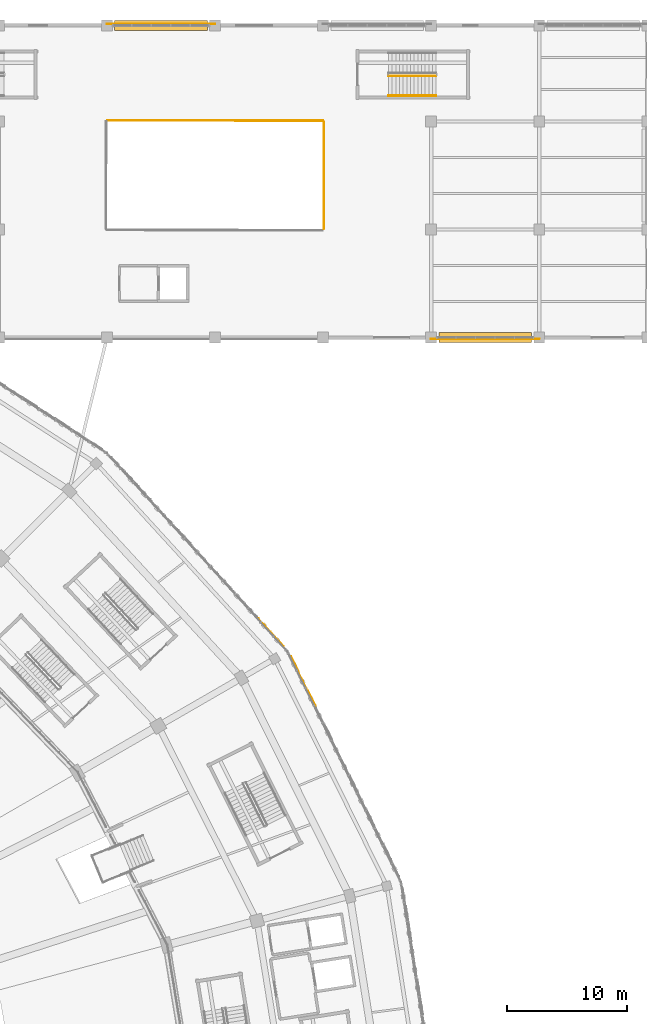
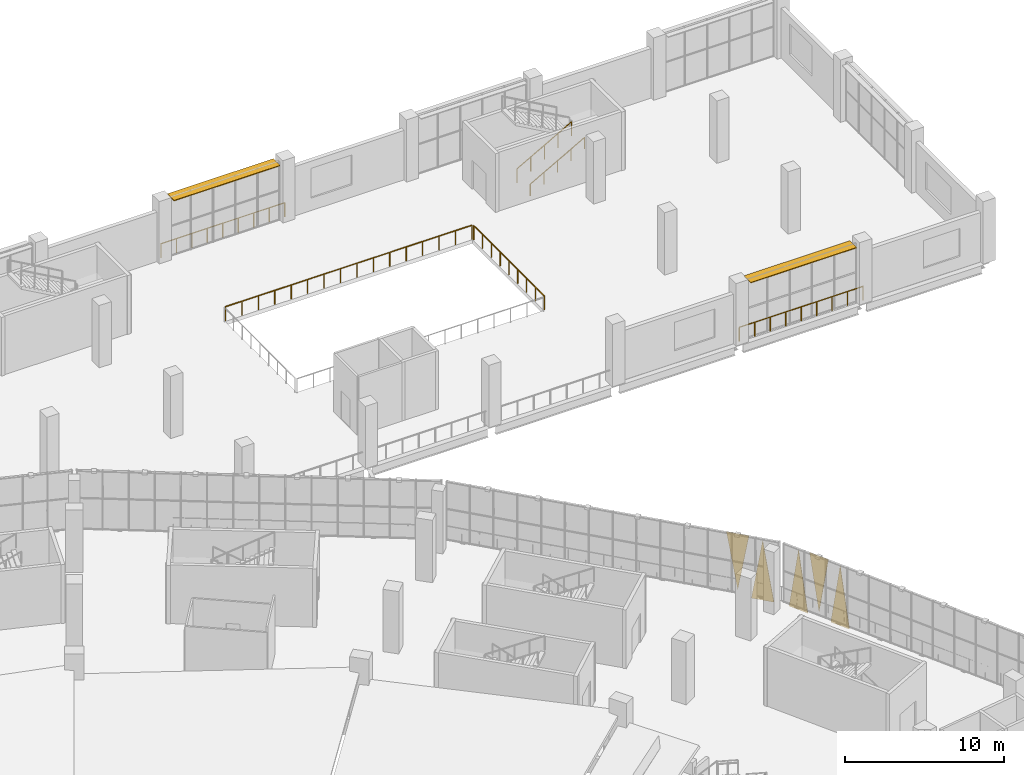
# One storey, part 181 of 183: 6 railings, 5 coverings, 2 shading devices.
"""IFC4 building model written with IfcOpenShell, lengths in metres."""

from ifc_helpers import new_model, si_unit, direction, frame, origin, origin_2d, place, context, subcontext, project, spatial, polyline, rectangle, circle, outline, extrude, material, layer, layer_set, type_object, element, save


model = new_model("IFC4")

# Units and contexts
model_context = context("Model", 3, precision=1e-05, world=origin(), true_north=direction((0.0, 1.0)))
body_context = subcontext(model_context, "Body", "Model", "MODEL_VIEW")
ifc_project = project(units=[si_unit("LENGTHUNIT", "METRE"), si_unit("AREAUNIT", "SQUARE_METRE"), si_unit("VOLUMEUNIT", "CUBIC_METRE"), si_unit("PLANEANGLEUNIT", "RADIAN"), si_unit("MASSUNIT", "GRAM", prefix="KILO")], contexts=[model_context])

# Site, building, storey
site_placement = place(None, origin())
site = spatial("IfcSite", under=ifc_project, at=site_placement, CompositionType="ELEMENT")
building_placement = place(site_placement, origin())
building = spatial("IfcBuilding", under=site, at=building_placement, Name="Zevraka Park Crest Stadium", CompositionType="ELEMENT")
storey_placement = place(building_placement, frame((0.0, 0.0, 5.39990234375)))
storey = spatial("IfcBuildingStorey", under=building, at=storey_placement, Name="L01", CompositionType="ELEMENT", Elevation=5.39990234375)

# Coverings
ifc_material_1 = material(Name="Architectural golden-bronze perforated aluminium", Category="aluminium")
ifc_layer_1 = layer(ifc_material_1, 0.034912109375)
ifc_layer_set_1 = layer_set([ifc_layer_1], Name="Architectural golden-bronze perforated aluminium")
covering_type = type_object("IfcCoveringType", Name="CLD01", PredefinedType="CLADDING", material=ifc_layer_set_1)
covering_1_placement = place(storey_placement, frame((196.35595703125, 127.31298828125, -0.260009765625), z_axis=(-0.89736335211, -0.441292433592, 4.8410033e-05), x_axis=(-0.441292434109, 0.897363353162, 0.0)))
element("IfcCovering", 1, at=covering_1_placement, inside=storey, type_object=covering_type, Name="Triangular Golden-Bronze Perforated Cladding L01-01-11", PredefinedType="CLADDING", context=body_context, shape_type="SweptSolid", body=[
    extrude(outline(polyline([(0.0, 0.0), (1.420720312745091, 0.0), (0.709706515851417, -4.600097661640237), (0.0, 0.0)])), origin(), (0.0, 0.0, -1.0), 0.034912109375),
])
covering_2_placement = place(storey_placement, frame((195.031005859375, 130.006103515625, 4.5), z_axis=(0.897396801117, 0.441224389291, 0.00014013863), x_axis=(0.441224393624, -0.897396809929, 0.0)))
element("IfcCovering", 2, at=covering_2_placement, inside=storey, type_object=covering_type, Name="Triangular Golden-Bronze Perforated Cladding L01-01-12", PredefinedType="CLADDING", context=body_context, shape_type="SweptSolid", body=[
    extrude(outline(polyline([(0.0, 0.0), (1.4209393996793769, 1.3552527156068805e-20), (0.710356504911064, 4.2797851982749995), (0.0, 0.0)])), origin(), (0.0, 0.0, -1.0), 0.034912109375),
])
covering_3_placement = place(storey_placement, frame((194.9599609375, 130.14990234375, -0.260009765625), z_axis=(-0.897262884804, -0.441496663763, 0.000106956486), x_axis=(-0.441496666288, 0.897262889936, 0.0)))
element("IfcCovering", 3, at=covering_3_placement, inside=storey, type_object=covering_type, Name="Triangular Golden-Bronze Perforated Cladding L01-01-13", PredefinedType="CLADDING", context=body_context, shape_type="SweptSolid", body=[
    extrude(outline(polyline([(0.0, 0.0), (1.4200631009776323, 6.776263578034403e-21), (0.7099255051060995, -4.600097682561845), (0.0, 0.0)])), origin(), (0.0, 0.0, -1.0), 0.034912109375),
])
covering_4_placement = place(storey_placement, frame((193.741943359375, 132.2919921875, -0.260009765625), z_axis=(0.739257935755, 0.673422381884, 0.0), x_axis=(-0.673422381884, 0.739257935755, 0.0)))
element("IfcCovering", 4, at=covering_4_placement, inside=storey, type_object=covering_type, Name="Triangular Golden-Bronze Perforated Cladding L01-02-1", PredefinedType="CLADDING", context=body_context, shape_type="SweptSolid", body=[
    extrude(outline(polyline([(0.0, 0.0), (1.4907527237079923, 0.0), (0.7453763618539961, 4.60009765625), (0.0, 0.0)])), origin(), (0.0, 0.0, -1.0), 0.034912109375),
])
covering_5_placement = place(storey_placement, frame((191.625, 134.614013671875, 4.5), z_axis=(0.738931869956, 0.673780145489, 8.4304834e-05), x_axis=(0.673780147884, -0.738931872582, 0.0)))
element("IfcCovering", 5, at=covering_5_placement, inside=storey, type_object=covering_type, Name="Triangular Golden-Bronze Perforated Cladding L01-02-2", PredefinedType="CLADDING", context=body_context, shape_type="SweptSolid", body=[
    extrude(outline(polyline([(0.0, 0.0), (1.4914105374817646, 0.0), (0.7460342629537162, 4.27978517145887), (0.0, 0.0)])), origin(), (0.0, 0.0, -1.0), 0.034912109375),
])

# Railings
ifc_material_2 = material(Name="Galvanised and bronze-finished steel balustrade", Category="steel")
railing_type_1 = type_object("IfcRailingType", Name="GR01", PredefinedType="GUARDRAIL", material=ifc_material_2)
railing_1_placement = place(storey_placement, frame((178.990966796875, 184.10498046875, 0.0)))
element("IfcRailing", 6, at=railing_1_placement, inside=storey, type_object=railing_type_1, Name="Deck Edge Protection Guardrail GR01 L01-12", PredefinedType="GUARDRAIL", context=body_context, shape_type="SweptSolid", body=[
    extrude(circle(Radius=0.02392578125, at=origin_2d()), frame((0.0, 0.0, 1.076171875), z_axis=(1.0, 0.0, 0.0), x_axis=(0.0, 1.0, 0.0)), (0.0, 0.0, 1.0), 9.01806640625),
    extrude(circle(Radius=0.02099609375, at=origin_2d()), origin(), (0.0, 0.0, 1.0), 1.052001953125),
    extrude(circle(Radius=0.02099609375, at=origin_2d()), frame((1.127197265625, 0.0, 0.0)), (0.0, 0.0, 1.0), 1.052001953125),
    extrude(circle(Radius=0.02099609375, at=origin_2d()), frame((2.25439453125, 0.0, 0.0)), (0.0, 0.0, 1.0), 1.052001953125),
    extrude(circle(Radius=0.02099609375, at=origin_2d()), frame((3.3818359375, 0.0, 0.0)), (0.0, 0.0, 1.0), 1.052001953125),
    extrude(circle(Radius=0.02099609375, at=origin_2d()), frame((4.509033203125, 0.0, 0.0)), (0.0, 0.0, 1.0), 1.052001953125),
    extrude(circle(Radius=0.02099609375, at=origin_2d()), frame((5.63623046875, 0.0, 0.0)), (0.0, 0.0, 1.0), 1.052001953125),
    extrude(circle(Radius=0.02099609375, at=origin_2d()), frame((6.763671875, 0.0, 0.0)), (0.0, 0.0, 1.0), 1.052001953125),
    extrude(circle(Radius=0.02099609375, at=origin_2d()), frame((7.890869140625, 0.0, 0.0)), (0.0, 0.0, 1.0), 1.052001953125),
    extrude(circle(Radius=0.02099609375, at=origin_2d()), frame((9.01806640625, 0.0, 0.0)), (0.0, 0.0, 1.0), 1.052001953125),
])
railing_2_placement = place(storey_placement, frame((215.009033203125, 157.89501953125, 0.0)))
element("IfcRailing", 7, at=railing_2_placement, inside=storey, type_object=railing_type_1, Name="Deck Edge Protection Guardrail GR01 L01-16", PredefinedType="GUARDRAIL", context=body_context, shape_type="SweptSolid", body=[
    extrude(circle(Radius=0.02392578125, at=origin_2d()), frame((0.0, 0.0, 1.076171875), z_axis=(-1.0, 0.0, 0.0), x_axis=(0.0, -1.0, 0.0)), (0.0, 0.0, 1.0), 9.01806640625),
    extrude(circle(Radius=0.02099609375, at=origin_2d()), origin(), (0.0, 0.0, 1.0), 1.052001953125),
    extrude(circle(Radius=0.02099609375, at=origin_2d()), frame((-1.127197265625, 0.0, 0.0)), (0.0, 0.0, 1.0), 1.052001953125),
    extrude(circle(Radius=0.02099609375, at=origin_2d()), frame((-2.25439453125, 0.0, 0.0)), (0.0, 0.0, 1.0), 1.052001953125),
    extrude(circle(Radius=0.02099609375, at=origin_2d()), frame((-3.3818359375, 0.0, 0.0)), (0.0, 0.0, 1.0), 1.052001953125),
    extrude(circle(Radius=0.02099609375, at=origin_2d()), frame((-4.509033203125, 0.0, 0.0)), (0.0, 0.0, 1.0), 1.052001953125),
    extrude(circle(Radius=0.02099609375, at=origin_2d()), frame((-5.63623046875, 0.0, 0.0)), (0.0, 0.0, 1.0), 1.052001953125),
    extrude(circle(Radius=0.02099609375, at=origin_2d()), frame((-6.763671875, 0.0, 0.0)), (0.0, 0.0, 1.0), 1.052001953125),
    extrude(circle(Radius=0.02099609375, at=origin_2d()), frame((-7.890869140625, 0.0, 0.0)), (0.0, 0.0, 1.0), 1.052001953125),
    extrude(circle(Radius=0.02099609375, at=origin_2d()), frame((-9.01806640625, 0.0, 0.0)), (0.0, 0.0, 1.0), 1.052001953125),
])
railing_3_placement = place(storey_placement, frame((197.070068359375, 167.06005859375, 0.0)))
element("IfcRailing", 8, at=railing_3_placement, inside=storey, type_object=railing_type_1, Name="Deck Edge Protection Guardrail GR01 L01-55", PredefinedType="GUARDRAIL", context=body_context, shape_type="SweptSolid", body=[
    extrude(circle(Radius=0.02392578125, at=origin_2d()), frame((0.0, 0.0, 1.076171875), z_axis=(0.0, 1.0, 0.0), x_axis=(-1.0, 0.0, 0.0)), (0.0, 0.0, 1.0), 8.8798828125),
    extrude(circle(Radius=0.02099609375, at=origin_2d()), origin(), (0.0, 0.0, 1.0), 1.052001953125),
    extrude(circle(Radius=0.02099609375, at=origin_2d()), frame((0.0, 1.10986328125, 0.0)), (0.0, 0.0, 1.0), 1.052001953125),
    extrude(circle(Radius=0.02099609375, at=origin_2d()), frame((0.0, 2.219970703125, 0.0)), (0.0, 0.0, 1.0), 1.052001953125),
    extrude(circle(Radius=0.02099609375, at=origin_2d()), frame((0.0, 3.330078125, 0.0)), (0.0, 0.0, 1.0), 1.052001953125),
    extrude(circle(Radius=0.02099609375, at=origin_2d()), frame((0.0, 4.43994140625, 0.0)), (0.0, 0.0, 1.0), 1.052001953125),
    extrude(circle(Radius=0.02099609375, at=origin_2d()), frame((0.0, 5.5498046875, 0.0)), (0.0, 0.0, 1.0), 1.052001953125),
    extrude(circle(Radius=0.02099609375, at=origin_2d()), frame((0.0, 6.659912109375, 0.0)), (0.0, 0.0, 1.0), 1.052001953125),
    extrude(circle(Radius=0.02099609375, at=origin_2d()), frame((0.0, 7.77001953125, 0.0)), (0.0, 0.0, 1.0), 1.052001953125),
    extrude(circle(Radius=0.02099609375, at=origin_2d()), frame((0.0, 8.8798828125, 0.0)), (0.0, 0.0, 1.0), 1.052001953125),
])
railing_4_placement = place(storey_placement, frame((196.998046875, 176.055908203125, 0.0)))
element("IfcRailing", 9, at=railing_4_placement, inside=storey, type_object=railing_type_1, Name="Deck Edge Protection Guardrail GR01 L01-56", PredefinedType="GUARDRAIL", context=body_context, shape_type="SweptSolid", body=[
    extrude(circle(Radius=0.02392578125, at=origin_2d()), frame((0.0, 0.0, 1.076171875), z_axis=(-0.999999688428, 0.000789394642, 0.0), x_axis=(-0.000789394642, -0.999999688428, 0.0)), (0.0, 0.0, 1.0), 17.93798828125),
    extrude(circle(Radius=0.02099609375, at=origin_2d()), origin(), (0.0, 0.0, 1.0), 1.052001953125),
    extrude(circle(Radius=0.02099609375, at=origin_2d()), frame((-1.19580078125, 0.0009765625, 0.0)), (0.0, 0.0, 1.0), 1.052001953125),
    extrude(circle(Radius=0.02099609375, at=origin_2d()), frame((-2.391845703125, 0.001953125, 0.0)), (0.0, 0.0, 1.0), 1.052001953125),
    extrude(circle(Radius=0.02099609375, at=origin_2d()), frame((-3.587646484375, 0.0029296875, 0.0)), (0.0, 0.0, 1.0), 1.052001953125),
    extrude(circle(Radius=0.02099609375, at=origin_2d()), frame((-4.783447265625, 0.003662109375, 0.0)), (0.0, 0.0, 1.0), 1.052001953125),
    extrude(circle(Radius=0.02099609375, at=origin_2d()), frame((-5.979248046875, 0.004638671875, 0.0)), (0.0, 0.0, 1.0), 1.052001953125),
    extrude(circle(Radius=0.02099609375, at=origin_2d()), frame((-7.17529296875, 0.005615234375, 0.0)), (0.0, 0.0, 1.0), 1.052001953125),
    extrude(circle(Radius=0.02099609375, at=origin_2d()), frame((-8.37109375, 0.006591796875, 0.0)), (0.0, 0.0, 1.0), 1.052001953125),
    extrude(circle(Radius=0.02099609375, at=origin_2d()), frame((-9.56689453125, 0.007568359375, 0.0)), (0.0, 0.0, 1.0), 1.052001953125),
    extrude(circle(Radius=0.02099609375, at=origin_2d()), frame((-10.7626953125, 0.008544921875, 0.0)), (0.0, 0.0, 1.0), 1.052001953125),
    extrude(circle(Radius=0.02099609375, at=origin_2d()), frame((-11.958740234375, 0.009521484375, 0.0)), (0.0, 0.0, 1.0), 1.052001953125),
    extrude(circle(Radius=0.02099609375, at=origin_2d()), frame((-13.154541015625, 0.010498046875, 0.0)), (0.0, 0.0, 1.0), 1.052001953125),
    extrude(circle(Radius=0.02099609375, at=origin_2d()), frame((-14.350341796875, 0.01123046875, 0.0)), (0.0, 0.0, 1.0), 1.052001953125),
    extrude(circle(Radius=0.02099609375, at=origin_2d()), frame((-15.546142578125, 0.01220703125, 0.0)), (0.0, 0.0, 1.0), 1.052001953125),
    extrude(circle(Radius=0.02099609375, at=origin_2d()), frame((-16.7421875, 0.01318359375, 0.0)), (0.0, 0.0, 1.0), 1.052001953125),
    extrude(circle(Radius=0.02099609375, at=origin_2d()), frame((-17.93798828125, 0.01416015625, 0.0)), (0.0, 0.0, 1.0), 1.052001953125),
])
ifc_material_3 = material(Name="Powder-coated tubular steel stairwell guard", Category="steel")
railing_type_2 = type_object("IfcRailingType", Name="GR03", PredefinedType="GUARDRAIL", material=ifc_material_3)
railing_5_placement = place(storey_placement, frame((202.449951171875, 179.7900390625, 0.171630859375)))
element("IfcRailing", 10, at=railing_5_placement, inside=storey, type_object=railing_type_2, Name="L01 ST45 stair guard 1", PredefinedType="GUARDRAIL", context=body_context, shape_type="SweptSolid", body=[
    extrude(circle(Radius=0.02392578125, at=origin_2d()), frame((0.0, 0.0, 1.076171875), z_axis=(0.871748933509, 0.0, 0.489952851738), x_axis=(0.0, 1.0, 0.0)), (0.0, 0.0, 1.0), 4.54833984375),
    extrude(circle(Radius=0.02099609375, at=origin_2d()), origin(), (0.0, 0.0, 1.0), 1.052001953125),
    extrude(circle(Radius=0.02099609375, at=origin_2d()), frame((0.9912109375, 0.0, 0.55712890625)), (0.0, 0.0, 1.0), 1.052001953125),
    extrude(circle(Radius=0.02099609375, at=origin_2d()), frame((1.982421875, 0.0, 1.1142578125)), (0.0, 0.0, 1.0), 1.052001953125),
    extrude(circle(Radius=0.02099609375, at=origin_2d()), frame((2.973876953125, 0.0, 1.67138671875)), (0.0, 0.0, 1.0), 1.052001953125),
    extrude(circle(Radius=0.02099609375, at=origin_2d()), frame((3.965087890625, 0.0, 2.228515625)), (0.0, 0.0, 1.0), 1.052001953125),
])
ifc_material_4 = material(Name="Brushed stainless steel continuous handrail", Category="steel")
railing_type_3 = type_object("IfcRailingType", Name="HR01", PredefinedType="HANDRAIL", material=ifc_material_4)
railing_6_placement = place(storey_placement, frame((202.449951171875, 178.139892578125, 0.171630859375)))
element("IfcRailing", 11, at=railing_6_placement, inside=storey, type_object=railing_type_3, Name="L01 ST45 stair handrail 1", PredefinedType="HANDRAIL", context=body_context, shape_type="SweptSolid", body=[
    extrude(circle(Radius=0.02392578125, at=origin_2d()), frame((0.0, 0.0, 0.8759765625), z_axis=(0.871748933509, 0.0, 0.489952851738), x_axis=(0.0, 1.0, 0.0)), (0.0, 0.0, 1.0), 4.54833984375),
    extrude(circle(Radius=0.02099609375, at=origin_2d()), origin(), (0.0, 0.0, 1.0), 0.851806640625),
    extrude(circle(Radius=0.02099609375, at=origin_2d()), frame((0.9912109375, 0.0, 0.55712890625)), (0.0, 0.0, 1.0), 0.851806640625),
    extrude(circle(Radius=0.02099609375, at=origin_2d()), frame((1.982421875, 0.0, 1.1142578125)), (0.0, 0.0, 1.0), 0.851806640625),
    extrude(circle(Radius=0.02099609375, at=origin_2d()), frame((2.973876953125, 0.0, 1.67138671875)), (0.0, 0.0, 1.0), 0.851806640625),
    extrude(circle(Radius=0.02099609375, at=origin_2d()), frame((3.965087890625, 0.0, 2.228515625)), (0.0, 0.0, 1.0), 0.851806640625),
])

# Shading devices
ifc_material_5 = material(Name="Architectural golden-bronze anodised bronze", Category="aluminium")
ifc_layer_2 = layer(ifc_material_5, 0.06005859375)
ifc_layer_set_2 = layer_set([ifc_layer_2], Name="Architectural golden-bronze anodised bronze")
shading_device_type = type_object("IfcShadingDeviceType", Name="SHD01", PredefinedType="USERDEFINED", material=ifc_layer_set_2)
for number, where, z_axis, x_axis, name in (
    (12, (183.5, 184.0, 4.440185546875), (0.0, 0.0, 1.0), (1.0, 0.0, 0.0), "Wing Bronze Solar Screen SHD01 L01-NGATE-N-4"),
    (13, (210.5, 158.0, 4.440185546875), (0.0, 0.0, 1.0), (-1.0, 0.0, 0.0), "Wing Bronze Solar Screen SHD01 L01-NGATE-S-2"),
):
    element("IfcShadingDevice", number, at=place(storey_placement, frame(where, z_axis=z_axis, x_axis=x_axis)), inside=storey, type_object=shading_device_type, Name=name, ObjectType="SOLAR SCREEN", PredefinedType="USERDEFINED", context=body_context, shape_type="SweptSolid", body=[
        extrude(rectangle(XDim=7.719970703125, YDim=0.85009765625, at=origin_2d()), origin(), (0.0, 0.0, 1.0), 0.06005859375),
    ])

save(model, "model.ifc")
